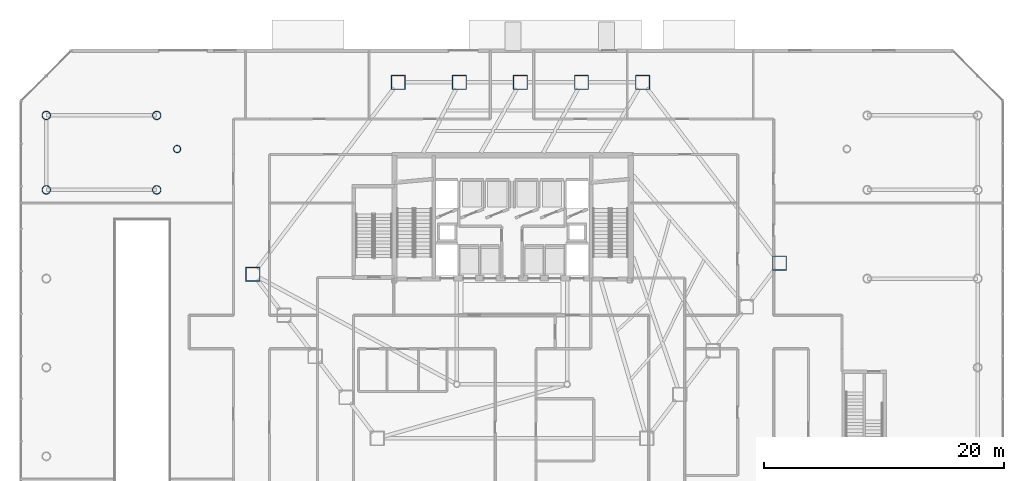
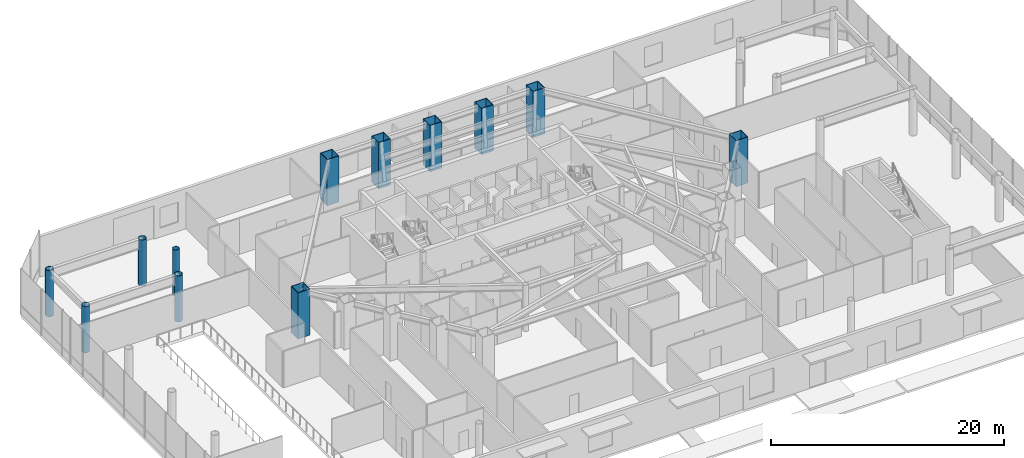
# One storey, part 3 of 31: 12 columns.
"""IFC4 building model written with IfcOpenShell, lengths in metres."""

from ifc_helpers import new_model, si_unit, direction, frame, origin, origin_2d, place, context, subcontext, project, spatial, hollow_rectangle, hollow_circle, extrude, material, material_profile, profile_set, type_object, element, save


model = new_model("IFC4")

# Units and contexts
model_context = context("Model", 3, precision=1e-05, world=origin(), true_north=direction((0.0, 1.0)))
body_context = subcontext(model_context, "Body", "Model", "MODEL_VIEW")
ifc_project = project(units=[si_unit("LENGTHUNIT", "METRE"), si_unit("AREAUNIT", "SQUARE_METRE"), si_unit("VOLUMEUNIT", "CUBIC_METRE"), si_unit("PLANEANGLEUNIT", "RADIAN"), si_unit("MASSUNIT", "GRAM", prefix="KILO")], contexts=[model_context])

# Site, building, storey
site_placement = place(None, origin())
site = spatial("IfcSite", under=ifc_project, at=site_placement, CompositionType="ELEMENT")
building_placement = place(site_placement, origin())
building = spatial("IfcBuilding", under=site, at=building_placement, Name="Zarrinselat Tower", CompositionType="ELEMENT")
storey_placement = place(building_placement, origin())
storey = spatial("IfcBuildingStorey", under=building, at=storey_placement, Name="L00", CompositionType="ELEMENT", Elevation=0.0)

# Columns
ifc_material_1 = material(Name="Steel S355J2", Category="steel")
ifc_material_profile_1 = material_profile(ifc_material_1, hollow_circle(Radius=0.304931640625, WallThickness=0.02490234375, at=origin_2d()), Name="CHS 610x25")
ifc_profile_set_1 = profile_set([ifc_material_profile_1], Name="Steel S355J2")
column_type_1 = type_object("IfcColumnType", Name="COL-CHS610", PredefinedType="COLUMN", material=ifc_profile_set_1)
column_placement = place(storey_placement, frame((10.5, 44.0, 0.0), z_axis=(0.0, 0.0, 1.0), x_axis=(1.0, 0.0, 0.0)))
element("IfcColumn", 1, at=column_placement, inside=storey, type_object=column_type_1, Name="L00 Garden Deck Support Column 3", PredefinedType="COLUMN", context=body_context, shape_type="SweptSolid", body=[
    extrude(hollow_circle(Radius=0.304931640625, WallThickness=0.02490234375, at=origin_2d()), origin(), (0.0, 0.0, 1.0), 4.820068359375),
])
ifc_material_2 = material(Name="Steel S460M", Category="steel")
ifc_material_profile_2 = material_profile(ifc_material_2, hollow_circle(Radius=0.35546875, WallThickness=0.030029296875, at=origin_2d()), Name="CHS 711x30")
ifc_profile_set_2 = profile_set([ifc_material_profile_2], Name="Steel S460M")
column_type_2 = type_object("IfcColumnType", Name="COL-CHS711", PredefinedType="COLUMN", material=ifc_profile_set_2)
for number, where, z_axis, x_axis, name in (
    (2, (-0.39990234375, 40.60009765625, 0.0), (0.0, 0.0, 1.0), (1.0, 0.0, 0.0), "L00 Podium Outer Column W-40"),
    (3, (8.800048828125, 40.60009765625, 0.0), (0.0, 0.0, 1.0), (1.0, 0.0, 0.0), "L00 Podium Anchor Column W-40"),
    (4, (-0.39990234375, 46.800048828125, 0.0), (0.0, 0.0, 1.0), (1.0, 0.0, 0.0), "L00 Podium Outer Column W-46"),
    (5, (8.800048828125, 46.800048828125, 0.0), (0.0, 0.0, 1.0), (1.0, 0.0, 0.0), "L00 Podium Anchor Column W-46"),
):
    element("IfcColumn", number, at=place(storey_placement, frame(where, z_axis=z_axis, x_axis=x_axis)), inside=storey, type_object=column_type_2, Name=name, PredefinedType="COLUMN", context=body_context, shape_type="SweptSolid", body=[
        extrude(hollow_circle(Radius=0.35546875, WallThickness=0.030029296875, at=origin_2d()), origin(), (0.0, 0.0, 1.0), 4.820068359375),
    ])
ifc_material_3 = material(Name="Steel S460M", Category="steel")
ifc_material_profile_3 = material_profile(ifc_material_3, hollow_rectangle(XDim=1.199951171875, YDim=1.199951171875, WallThickness=0.06005859375, at=origin_2d()), Name="SHS 1200x1200x60")
ifc_profile_set_3 = profile_set([ifc_material_profile_3], Name="Steel S460M")
column_type_3 = type_object("IfcColumnType", Name="COL-SHS1200", PredefinedType="COLUMN", material=ifc_profile_set_3)
for number, where, z_axis, x_axis, name in (
    (6, (49.277099609375, 49.550048828125, 0.0), (0.0, 0.0, 1.0), (1.0, 0.0, 0.0), "L00 Framed-Tube Column T01"),
    (7, (44.1884765625, 49.550048828125, 0.0), (0.0, 0.0, 1.0), (1.0, 0.0, 0.0), "L00 Framed-Tube Column T02"),
    (8, (39.10009765625, 49.550048828125, 0.0), (0.0, 0.0, 1.0), (1.0, 0.0, 0.0), "L00 Framed-Tube Column T03"),
    (9, (34.011474609375, 49.550048828125, 0.0), (0.0, 0.0, 1.0), (1.0, 0.0, 0.0), "L00 Framed-Tube Column T04"),
    (10, (28.923095703125, 49.550048828125, 0.0), (0.0, 0.0, 1.0), (1.0, 0.0, 0.0), "L00 Framed-Tube Column T05"),
    (11, (16.8154296875, 33.568115234375, 0.0), (0.0, 0.0, 1.0), (1.0, 0.0, 0.0), "L00 Framed-Tube Column T06"),
    (12, (60.6845703125, 34.491943359375, 0.0), (0.0, 0.0, 1.0), (1.0, 0.0, 0.0), "L00 Framed-Tube Column T15"),
):
    element("IfcColumn", number, at=place(storey_placement, frame(where, z_axis=z_axis, x_axis=x_axis)), inside=storey, type_object=column_type_3, Name=name, PredefinedType="COLUMN", context=body_context, shape_type="SweptSolid", body=[
        extrude(hollow_rectangle(XDim=1.199951171875, YDim=1.199951171875, WallThickness=0.06005859375, at=origin_2d()), origin(), (0.0, 0.0, 1.0), 4.820068359375),
    ])

save(model, "model.ifc")
